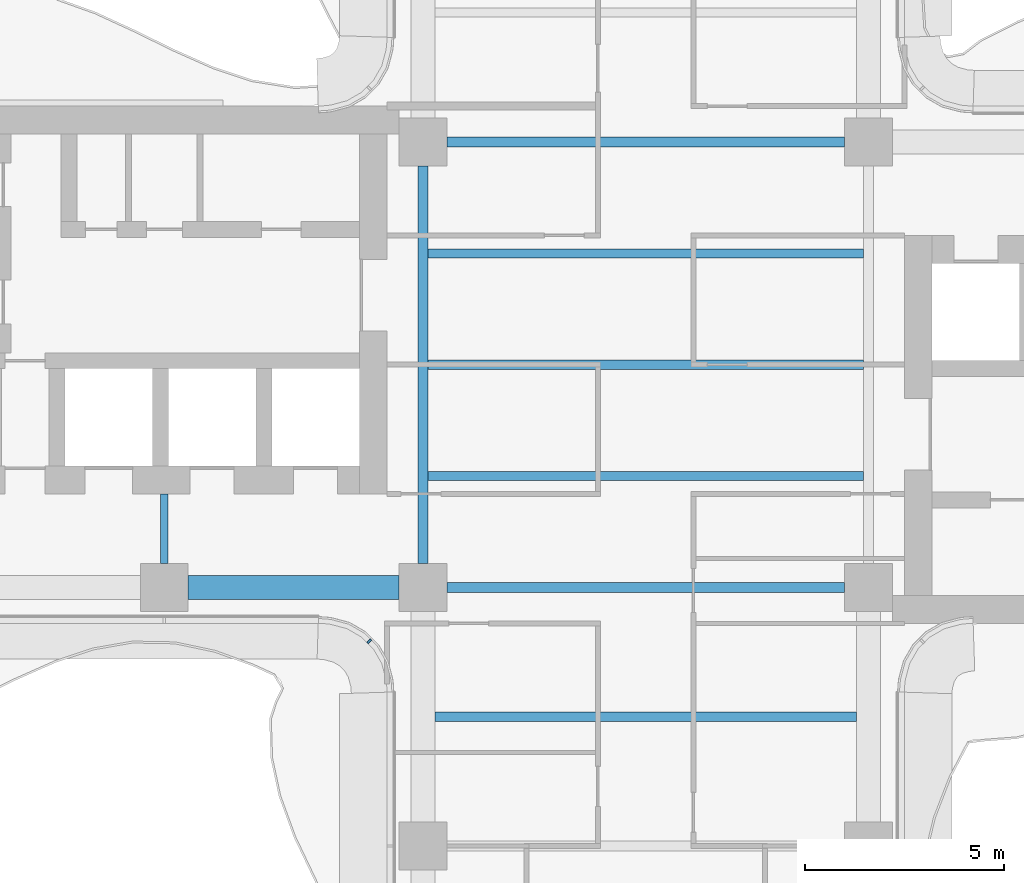
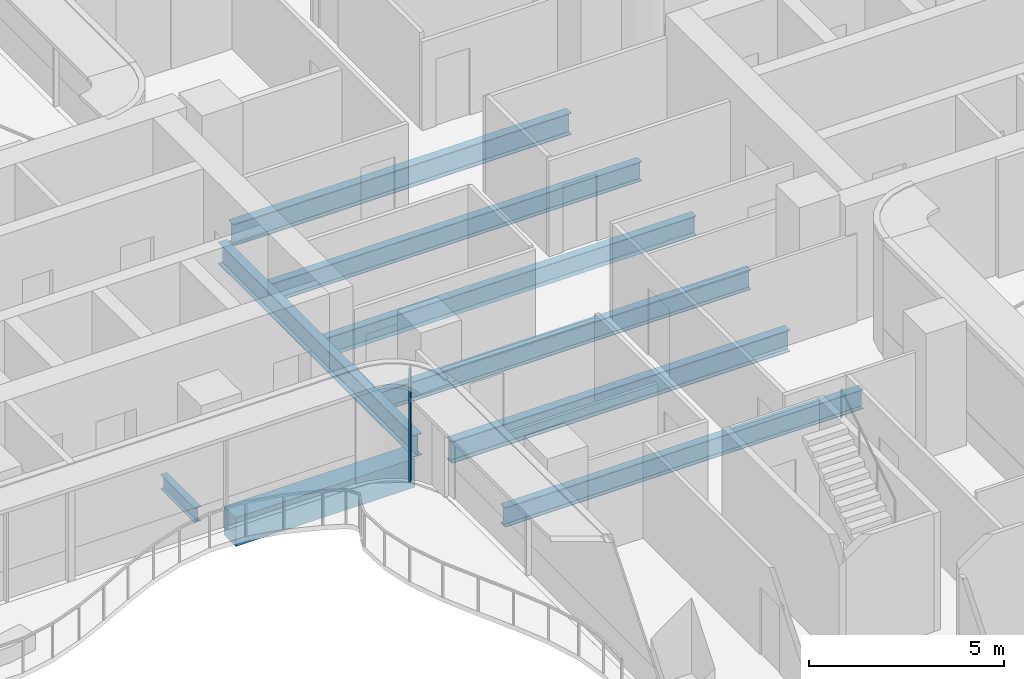
# One storey, part 4 of 17: 9 beams, 1 member, 1 element without a shape of its own.
"""IFC4 building model written with IfcOpenShell, lengths in metres."""

import ifcopenshell
import ifcopenshell.guid

model = None  # the IFC model being written
_history = None  # IfcOwnerHistory: only IFC2X3 demands one
_inside = {}  # id of a spatial element -> (the spatial element, [elements in it])
_under = {}  # id of a project, library or spatial element -> (it, [spatial elements below it])
_declared = {}  # id of a project -> (the project, [libraries it declares])
_typed = {}  # id of a type object -> (the type object, [elements of that type])
_made_of = {}  # id of a material, layer set ... -> (it, [elements and type objects made of it])


def new_model(schema):
    """Start an empty IFC model of exactly this schema.

    Asked for "IFC4X3", IfcOpenShell would pick the latest addendum, in which some entities
    have other attributes; the version numbers below select the first issue.
    IFC2X3 requires an IfcOwnerHistory on every rooted entity: one is made here for all.
    """
    global model, _history
    if schema == "IFC4X3":
        model = ifcopenshell.file(schema_version=(4, 3, 0, 0))
    else:
        model = ifcopenshell.file(schema=schema)
    _inside.clear()
    _under.clear()
    _declared.clear()
    _typed.clear()
    _made_of.clear()
    _history = None
    if model.schema == "IFC2X3":
        org = make("IfcOrganization", Name="unknown")
        user = make(
            "IfcPersonAndOrganization",
            ThePerson=make("IfcPerson", FamilyName="unknown"),
            TheOrganization=org,
        )
        app = make(
            "IfcApplication",
            ApplicationDeveloper=org,
            Version="unknown",
            ApplicationFullName="unknown",
            ApplicationIdentifier="unknown",
        )
        _history = make(
            "IfcOwnerHistory",
            OwningUser=user,
            OwningApplication=app,
            ChangeAction="ADDED",
            CreationDate=0,
        )
    return model


def make(cls, **values):
    """One entity of the class cls with the attributes given. An attribute that is None is left unset."""
    return model.create_entity(
        cls, **{name: value for name, value in values.items() if value is not None}
    )


def rooted(cls, **values):
    """An entity with a GlobalId (a new one), such as an element, a storey or a relation."""
    return make(cls, GlobalId=ifcopenshell.guid.new(), OwnerHistory=_history, **values)


def si_unit(unit_type, name, prefix=None):
    """IfcSIUnit, for example si_unit("LENGTHUNIT", "METRE", prefix="MILLI")."""
    return make("IfcSIUnit", UnitType=unit_type, Prefix=prefix, Name=name)


def assignment(units):
    """IfcUnitAssignment: the units of a project."""
    return None if units is None else make("IfcUnitAssignment", Units=units)


def point(xyz):
    """IfcCartesianPoint."""
    return None if xyz is None else make("IfcCartesianPoint", Coordinates=xyz)


def direction(xyz):
    """IfcDirection."""
    return None if xyz is None else make("IfcDirection", DirectionRatios=xyz)


def frame(location, z_axis=None, x_axis=None):
    """IfcAxis2Placement3D, a coordinate frame: its origin and axes. An axis left out is left unset."""
    return make(
        "IfcAxis2Placement3D",
        Location=point(location),
        Axis=direction(z_axis),
        RefDirection=direction(x_axis),
    )


def frame_2d(location, x_axis=None):
    """IfcAxis2Placement2D, a coordinate frame in the plane: its origin and x axis."""
    return make(
        "IfcAxis2Placement2D", Location=point(location), RefDirection=direction(x_axis)
    )


def origin():
    """The frame at (0, 0, 0) with its axes left unset."""
    return frame((0.0, 0.0, 0.0))


def origin_2d():
    """The frame at (0, 0) in the plane with its x axis left unset."""
    return frame_2d((0.0, 0.0))


def place(relative_to, where):
    """IfcLocalPlacement: puts the frame where relative to a parent placement (None: the world)."""
    return make(
        "IfcLocalPlacement", PlacementRelTo=relative_to, RelativePlacement=where
    )


def context(
    kind, dimensions, precision=None, world=None, true_north=None, identifier=None
):
    """IfcGeometricRepresentationContext, for example the 3D "Model" context."""
    return make(
        "IfcGeometricRepresentationContext",
        ContextIdentifier=identifier,
        ContextType=kind,
        CoordinateSpaceDimension=dimensions,
        Precision=precision,
        WorldCoordinateSystem=world,
        TrueNorth=true_north,
    )


def subcontext(parent, identifier, kind, view, scale=None):
    """IfcGeometricRepresentationSubContext, for example "Body" below "Model"."""
    return make(
        "IfcGeometricRepresentationSubContext",
        ContextIdentifier=identifier,
        ContextType=kind,
        ParentContext=parent,
        TargetScale=scale,
        TargetView=view,
    )


def project(units=None, contexts=None):
    """IfcProject with its units and contexts."""
    return rooted(
        "IfcProject",
        Name="project",
        RepresentationContexts=contexts,
        UnitsInContext=assignment(units),
    )


def spatial(cls, under=None, at=None, **own):
    """A site, building, storey or space (cls), placed at a placement, below another one or the project."""
    s = rooted(cls, ObjectPlacement=at, **own)
    if under is not None:
        _under.setdefault(under.id(), (under, []))[1].append(s)
    return s


def profile(cls, at=None, kind="AREA", **sizes):
    """A parametric profile (cls). Its sizes go by their IFC names, for example OverallWidth=200.0."""
    return make(cls, ProfileType=kind, Position=at, **sizes)


def rectangle(**sizes):
    """IfcRectangleProfileDef."""
    return profile("IfcRectangleProfileDef", **sizes)


def i_section(**sizes):
    """IfcIShapeProfileDef."""
    return profile("IfcIShapeProfileDef", **sizes)


def extrude(swept, where, along, depth):
    """IfcExtrudedAreaSolid: the profile swept, set in the frame where, extruded along a direction by depth."""
    return make(
        "IfcExtrudedAreaSolid",
        SweptArea=swept,
        Position=where,
        ExtrudedDirection=direction(along),
        Depth=depth,
    )


def shape(context_of_items, identifier, shape_type, items):
    """IfcShapeRepresentation: the items that make up one representation, for example the "Body"."""
    return make(
        "IfcShapeRepresentation",
        ContextOfItems=context_of_items,
        RepresentationIdentifier=identifier,
        RepresentationType=shape_type,
        Items=items,
    )


def source(mapping_origin, context_of_items, identifier, shape_type, items):
    """IfcRepresentationMap: a shape defined once, which mapped items show again and again."""
    return make(
        "IfcRepresentationMap",
        MappingOrigin=mapping_origin,
        MappedRepresentation=shape(context_of_items, identifier, shape_type, items),
    )


def transform(
    local_origin,
    x_axis=None,
    y_axis=None,
    z_axis=None,
    scale=None,
    scale2=None,
    scale3=None,
    uniform=True,
):
    """IfcCartesianTransformationOperator3D, or its non-uniform kind. x_axis, y_axis, z_axis: its Axis1, 2, 3."""
    if uniform:
        return make(
            "IfcCartesianTransformationOperator3D",
            Axis1=direction(x_axis),
            Axis2=direction(y_axis),
            LocalOrigin=point(local_origin),
            Scale=scale,
            Axis3=direction(z_axis),
        )
    return make(
        "IfcCartesianTransformationOperator3DnonUniform",
        Axis1=direction(x_axis),
        Axis2=direction(y_axis),
        LocalOrigin=point(local_origin),
        Scale=scale,
        Axis3=direction(z_axis),
        Scale2=scale2,
        Scale3=scale3,
    )


def mapped(mapping_source, mapping_target):
    """IfcMappedItem: shows the shape of a source again, moved by a transform."""
    return make(
        "IfcMappedItem", MappingSource=mapping_source, MappingTarget=mapping_target
    )


def material(Name=None, Category=None):
    """IfcMaterial."""
    return make("IfcMaterial", Name=Name, Category=Category)


def layer(
    of_material, thickness, ventilated=None, Name=None, Category=None, Priority=None
):
    """IfcMaterialLayer: one layer of a wall or slab, of a material (None: an air gap)."""
    return make(
        "IfcMaterialLayer",
        Material=of_material,
        LayerThickness=thickness,
        IsVentilated=ventilated,
        Name=Name,
        Category=Category,
        Priority=Priority,
    )


def layer_set(layers, Name=None):
    """IfcMaterialLayerSet."""
    return make("IfcMaterialLayerSet", MaterialLayers=layers, LayerSetName=Name)


def material_profile(
    of_material, cross_section, Name=None, Category=None, Priority=None
):
    """IfcMaterialProfile: a cross section and its material."""
    return make(
        "IfcMaterialProfile",
        Name=Name,
        Material=of_material,
        Profile=cross_section,
        Priority=Priority,
        Category=Category,
    )


def profile_set(profiles, Name=None, composite=None):
    """IfcMaterialProfileSet."""
    return make(
        "IfcMaterialProfileSet",
        Name=Name,
        MaterialProfiles=profiles,
        CompositeProfile=composite,
    )


def made_of(thing, what):
    """Note that an element or type object is made of a material, layer set ...; save() writes the relation."""
    if what is not None:
        _made_of.setdefault(what.id(), (what, []))[1].append(thing)
    return thing


def type_object(cls, material=None, **own):
    """A type object (cls), such as IfcWallType, which elements share."""
    return made_of(rooted(cls, **own), material)


def element(
    cls,
    number,
    at=None,
    inside=None,
    cuts=None,
    type_object=None,
    material=None,
    context=None,
    identifier="Body",
    shape_type=None,
    held_by="IfcProductDefinitionShape",
    body=None,
    shapes=None,
    **own,
):
    """One element of the class cls, such as IfcWall. Its Tag is "e" and its number.

    at: its placement. inside: the storey or other place that contains it. cuts: it is an
    opening in that element (IfcRelVoidsElement). A single representation is given by context,
    identifier, shape_type and body (its items); several are given by shapes. held_by: the class
    of the entity that holds the representations. save() writes the other relations.
    """
    e = rooted(cls, Tag="e%d" % number, ObjectPlacement=at, **own)
    if body is not None:
        shapes = [shape(context, identifier, shape_type, body)]
    if shapes is not None:
        e.Representation = make(held_by, Representations=shapes)
    if inside is not None:
        _inside.setdefault(inside.id(), (inside, []))[1].append(e)
    if cuts is not None:
        rooted(
            "IfcRelVoidsElement", RelatingBuildingElement=cuts, RelatedOpeningElement=e
        )
    if type_object is not None:
        _typed.setdefault(type_object.id(), (type_object, []))[1].append(e)
    return made_of(e, material)


def aggregate(whole, parts):
    """IfcRelAggregates: a whole, such as a stair, and the parts it consists of."""
    return rooted("IfcRelAggregates", RelatingObject=whole, RelatedObjects=parts)


def save(model, path):
    """Write the relations noted so far, then the file.

    IfcRelAggregates (storeys below a building ...), IfcRelContainedInSpatialStructure (elements
    in a storey), IfcRelDefinesByType, IfcRelAssociatesMaterial and IfcRelDeclares: one each for
    every whole, place, type object, material and project.
    """
    for whole, parts in _under.values():
        aggregate(whole, parts)
    for where, things in _inside.values():
        rooted(
            "IfcRelContainedInSpatialStructure",
            RelatedElements=things,
            RelatingStructure=where,
        )
    for kind, things in _typed.values():
        rooted("IfcRelDefinesByType", RelatedObjects=things, RelatingType=kind)
    for what, things in _made_of.values():
        rooted("IfcRelAssociatesMaterial", RelatedObjects=things, RelatingMaterial=what)
    for by, libraries in _declared.values():
        rooted("IfcRelDeclares", RelatingContext=by, RelatedDefinitions=libraries)
    model.write(path)


model = new_model("IFC4")

# Units and contexts
model_context = context("Model", 3, precision=1e-05, world=origin(), true_north=direction((0.0, 1.0)))
body_context = subcontext(model_context, "Body", "Model", "MODEL_VIEW")
ifc_project = project(units=[si_unit("LENGTHUNIT", "METRE"), si_unit("AREAUNIT", "SQUARE_METRE"), si_unit("VOLUMEUNIT", "CUBIC_METRE"), si_unit("PLANEANGLEUNIT", "RADIAN"), si_unit("MASSUNIT", "GRAM", prefix="KILO")], contexts=[model_context])

# Site, building, storey
site_placement = place(None, origin())
site = spatial("IfcSite", under=ifc_project, at=site_placement, CompositionType="ELEMENT")
building_placement = place(site_placement, origin())
building = spatial("IfcBuilding", under=site, at=building_placement, Name="Trellis Farm Tower", CompositionType="ELEMENT")
storey_placement = place(building_placement, frame((0.0, 0.0, 173.699951171875)))
storey = spatial("IfcBuildingStorey", under=building, at=storey_placement, Name="L37", CompositionType="ELEMENT", Elevation=173.699951171875)

# Beams
ifc_material_1 = material(Name="Concrete C60/75", Category="concrete")
ifc_material_profile_1 = material_profile(ifc_material_1, rectangle(XDim=0.60009765625, YDim=0.89990234375, at=origin_2d()), Name="RC spandrel beam 600x900 C60/75")
ifc_profile_set_1 = profile_set([ifc_material_profile_1], Name="Concrete C60/75")
beam_type_1 = type_object("IfcBeamType", Name="RC spandrel beam 600x900 C60/75", PredefinedType="SPANDREL", material=ifc_profile_set_1)
shared_shape_1 = source(origin(), body_context, "Body", "SweptSolid", [
    extrude(rectangle(XDim=0.60009765625, YDim=0.89990234375, at=origin_2d()), origin(), (0.0, 0.0, 1.0), 5.300048828125),
])
beam_1_placement = place(storey_placement, frame((-11.5, -5.60009765625, -0.64990234375), z_axis=(1.0, 0.0, 0.0), x_axis=(0.0, 1.0, 0.0)))
element("IfcBeam", 1, at=beam_1_placement, inside=storey, type_object=beam_type_1, Name="Girder", PredefinedType="SPANDREL", context=body_context, shape_type="MappedRepresentation", body=[
    mapped(shared_shape_1, transform((0.0, 0.0, 0.0))),
])
ifc_material_2 = material(Name="Steel S355", Category="steel")
ifc_material_profile_2 = material_profile(ifc_material_2, i_section(OverallWidth=0.253662109375, OverallDepth=0.68359375, WebThickness=0.012451171875, FlangeThickness=0.021728515625, FilletRadius=0.01513671875, at=origin_2d()), Name="UB 686x254x140")
ifc_profile_set_2 = profile_set([ifc_material_profile_2], Name="Steel S355")
beam_type_2 = type_object("IfcBeamType", Name="UB 686x254x140", PredefinedType="BEAM", material=ifc_profile_set_2)
shared_shape_2 = source(origin(), body_context, "Body", "SweptSolid", [
    extrude(i_section(OverallWidth=0.253662109375, OverallDepth=0.68359375, WebThickness=0.012451171875, FlangeThickness=0.021728515625, FilletRadius=0.01513671875, at=origin_2d()), origin(), (0.0, 0.0, 1.0), 10.0),
])
for number, where, z_axis, x_axis, name in (
    (2, (-5.0, -5.60009765625, -0.541748046875), (1.0, 0.0, 0.0), (0.0, 1.0, 0.0), "Girder"),
    (3, (-5.0, 5.60009765625, -0.541748046875), (1.0, 0.0, 0.0), (0.0, 1.0, 0.0), "Girder"),
    (4, (-5.60009765625, -5.0, -0.541748046875), (0.0, 1.0, 0.0), (-1.0, 0.0, 0.0), "Girder"),
):
    element("IfcBeam", number, at=place(storey_placement, frame(where, z_axis=z_axis, x_axis=x_axis)), inside=storey, type_object=beam_type_2, Name=name, PredefinedType="BEAM", context=body_context, shape_type="MappedRepresentation", body=[
        mapped(shared_shape_2, transform((0.0, 0.0, 0.0))),
    ])
ifc_material_profile_3 = material_profile(ifc_material_2, i_section(OverallWidth=0.1904296875, OverallDepth=0.45703125, WebThickness=0.009033203125, FlangeThickness=0.014404296875, FilletRadius=0.01025390625, at=origin_2d()), Name="UB 457x191x74")
ifc_profile_set_3 = profile_set([ifc_material_profile_3], Name="Steel S355")
beam_type_3 = type_object("IfcBeamType", Name="UB 457x191x74", PredefinedType="BEAM", material=ifc_profile_set_3)
shared_shape_3 = source(origin(), body_context, "Body", "SweptSolid", [
    extrude(i_section(OverallWidth=0.1904296875, OverallDepth=0.45703125, WebThickness=0.009033203125, FlangeThickness=0.014404296875, FilletRadius=0.01025390625, at=origin_2d()), origin(), (0.0, 0.0, 1.0), 1.75),
])
beam_2_placement = place(storey_placement, frame((-12.10009765625, -5.0, -0.428466796875), z_axis=(0.0, 1.0, 0.0), x_axis=(-1.0, 0.0, 0.0)))
element("IfcBeam", 5, at=beam_2_placement, inside=storey, type_object=beam_type_3, Name="Girder", PredefinedType="BEAM", context=body_context, shape_type="MappedRepresentation", body=[
    mapped(shared_shape_3, transform((0.0, 0.0, 0.0))),
])
ifc_material_profile_4 = material_profile(ifc_material_2, i_section(OverallWidth=0.22900390625, OverallDepth=0.6123046875, WebThickness=0.011962890625, FlangeThickness=0.01953125, FilletRadius=0.0126953125, at=origin_2d()), Name="UB 610x229x125")
ifc_profile_set_4 = profile_set([ifc_material_profile_4], Name="Steel S355")
beam_type_4 = type_object("IfcBeamType", Name="UB 610x229x125 joist", PredefinedType="JOIST", material=ifc_profile_set_4)
shared_shape_4 = source(origin(), body_context, "Body", "SweptSolid", [
    extrude(i_section(OverallWidth=0.22900390625, OverallDepth=0.6123046875, WebThickness=0.011962890625, FlangeThickness=0.01953125, FilletRadius=0.0126953125, at=origin_2d()), origin(), (0.0, 0.0, 1.0), 10.9462890625),
])
for number, where, z_axis, x_axis, name in (
    (6, (-5.47314453125, -2.800048828125, -0.506103515625), (1.0, 0.0, 0.0), (0.0, 1.0, 0.0), "Floor beam"),
    (7, (-5.47314453125, 0.0, -0.506103515625), (1.0, 0.0, 0.0), (0.0, 1.0, 0.0), "Floor beam"),
    (8, (-5.47314453125, 2.800048828125, -0.506103515625), (1.0, 0.0, 0.0), (0.0, 1.0, 0.0), "Floor beam"),
):
    element("IfcBeam", number, at=place(storey_placement, frame(where, z_axis=z_axis, x_axis=x_axis)), inside=storey, type_object=beam_type_4, Name=name, PredefinedType="JOIST", context=body_context, shape_type="MappedRepresentation", body=[
        mapped(shared_shape_4, transform((0.0, 0.0, 0.0))),
    ])
shared_shape_5 = source(origin(), body_context, "Body", "SweptSolid", [
    extrude(i_section(OverallWidth=0.22900390625, OverallDepth=0.6123046875, WebThickness=0.011962890625, FlangeThickness=0.01953125, FilletRadius=0.0126953125, at=origin_2d()), origin(), (0.0, 0.0, 1.0), 10.60009765625),
])
beam_3_placement = place(storey_placement, frame((-5.300048828125, -8.85009765625, -0.506103515625), z_axis=(1.0, 0.0, 0.0), x_axis=(0.0, 1.0, 0.0)))
element("IfcBeam", 9, at=beam_3_placement, inside=storey, type_object=beam_type_4, Name="Floor beam", PredefinedType="JOIST", context=body_context, shape_type="MappedRepresentation", body=[
    mapped(shared_shape_5, transform((0.0, 0.0, 0.0))),
])

# Curtain wall, member
ifc_material_3 = material(Name="Aluminium and glass curtain wall", Category="aluminium")
ifc_layer = layer(ifc_material_3, 0.166015625)
ifc_layer_set = layer_set([ifc_layer], Name="WINTER GARDEN CURTAIN WALL CW3")
curtain_wall_type = type_object("IfcCurtainWallType", Name="WINTER GARDEN CURTAIN WALL CW3", PredefinedType="NOTDEFINED", material=ifc_layer_set)
curtain_wall_placement = place(storey_placement, origin())
curtain_wall = element("IfcCurtainWall", 10, at=curtain_wall_placement, inside=storey, type_object=curtain_wall_type, Name="CW3 001", PredefinedType="NOTDEFINED")
ifc_material_4 = material(Name="Aluminium extrusion 6063-T6", Category="aluminium")
ifc_material_profile_5 = material_profile(ifc_material_4, rectangle(XDim=0.050048828125, YDim=0.1201171875, at=origin_2d()), Name="MULLION 50x120")
ifc_profile_set_5 = profile_set([ifc_material_profile_5], Name="Aluminium extrusion 6063-T6")
member_type = type_object("IfcMemberType", Name="CW3 MULLION 50x120", PredefinedType="MULLION", material=ifc_profile_set_5)
shared_shape_6 = source(origin(), body_context, "Body", "SweptSolid", [
    extrude(rectangle(XDim=0.050048828125, YDim=0.1201171875, at=origin_2d()), origin(), (0.0, 0.0, 1.0), 3.550048828125),
])
member_placement = place(storey_placement, frame((-6.953125, -6.953125, 0.0), z_axis=(0.0, 0.0, 1.0), x_axis=(0.707106781187, -0.707106781187, 0.0)))
member = element("IfcMember", 11, at=member_placement, type_object=member_type, Name="MU3 001-01", PredefinedType="MULLION", context=body_context, shape_type="MappedRepresentation", body=[
    mapped(shared_shape_6, transform((0.0, 0.0, 0.0))),
])
aggregate(curtain_wall, [member])

save(model, "model.ifc")
